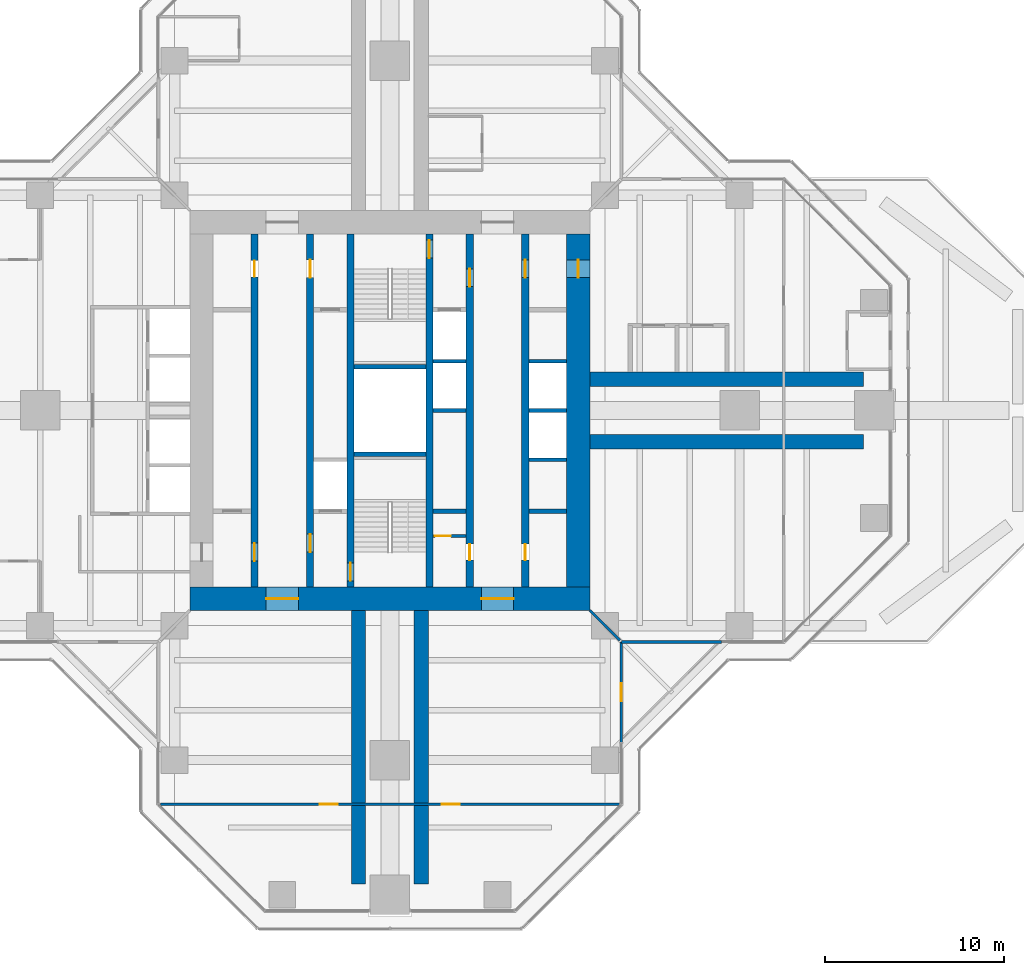
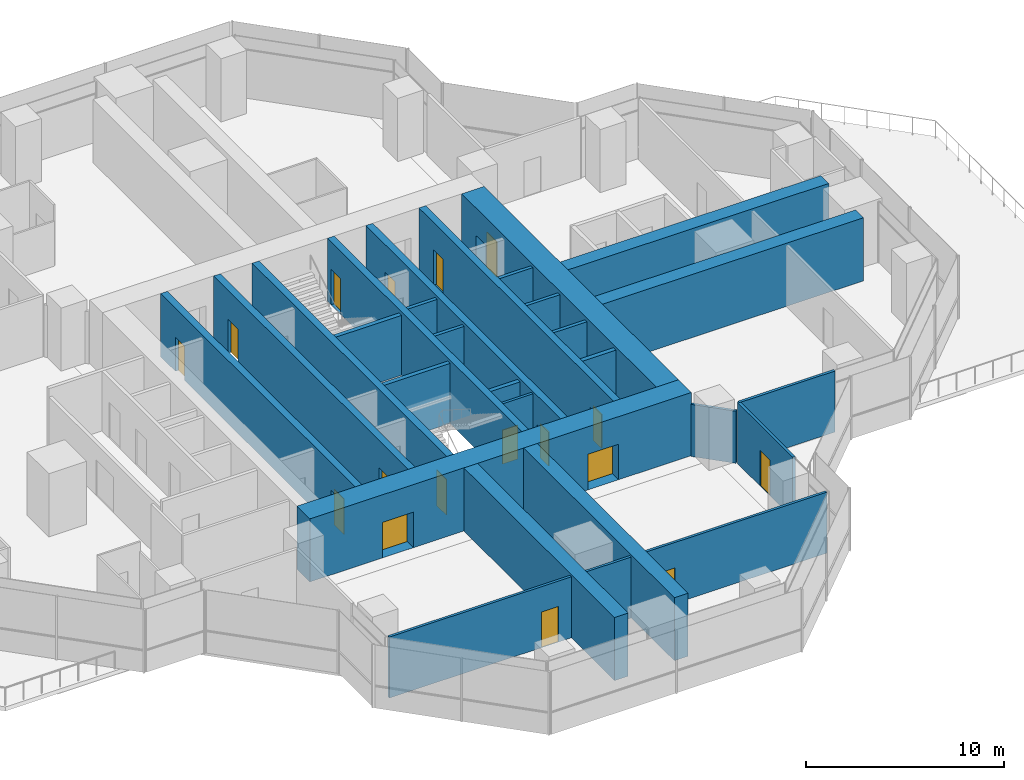
# One storey, part 15 of 19: 26 walls, 17 doors, 17 openings.
"""IFC4 building model written with IfcOpenShell, lengths in metres."""

from ifc_helpers import new_model, si_unit, direction, frame, frame_2d, origin, place, context, subcontext, project, spatial, rectangle, extrude, material, layer, layer_set, type_object, element, fill, save


model = new_model("IFC4")

# Units and contexts
model_context = context("Model", 3, precision=1e-05, world=origin(), true_north=direction((0.0, 1.0)))
body_context = subcontext(model_context, "Body", "Model", "MODEL_VIEW")
ifc_project = project(units=[si_unit("LENGTHUNIT", "METRE"), si_unit("AREAUNIT", "SQUARE_METRE"), si_unit("VOLUMEUNIT", "CUBIC_METRE"), si_unit("PLANEANGLEUNIT", "RADIAN"), si_unit("MASSUNIT", "GRAM", prefix="KILO")], contexts=[model_context])

# Site, building, storey
site_placement = place(None, origin())
site = spatial("IfcSite", under=ifc_project, at=site_placement, CompositionType="ELEMENT")
building_placement = place(site_placement, origin())
building = spatial("IfcBuilding", under=site, at=building_placement, Name="Mizan Broadcast Tower", CompositionType="ELEMENT")
storey_placement = place(building_placement, frame((0.0, 0.0, 204.89990234375)))
storey = spatial("IfcBuildingStorey", under=building, at=storey_placement, Name="L47", CompositionType="ELEMENT", Elevation=204.89990234375)

# Wall, openings, doors
ifc_material_1 = material(Name="Concrete C70/85", Category="concrete")
ifc_layer_1 = layer(ifc_material_1, 0.39990234375)
ifc_layer_set_1 = layer_set([ifc_layer_1], Name="Concrete C70/85")
wall_type_1 = type_object("IfcWallType", Name="CORE INTERNAL WALL 400", PredefinedType="SHEAR", material=ifc_layer_set_1)
wall_1_placement = place(storey_placement, frame((-7.550048828125, -9.85009765625, 0.0), z_axis=(0.0, 0.0, 1.0), x_axis=(0.0, 1.0, 0.0)))
wall_1 = element("IfcWall", 1, at=wall_1_placement, inside=storey, type_object=wall_type_1, Name="Core wall CORE/XW1", PredefinedType="SHEAR", context=body_context, shape_type="SweptSolid", body=[
    extrude(rectangle(XDim=19.7001953125, YDim=0.39990234375, at=frame_2d((9.85009765625, 0.0))), origin(), (0.0, 0.0, 1.0), 3.900146484375),
])
opening_1_placement = place(wall_1_placement, frame((1.449951171875, 0.0, 0.0)))
opening_1 = element("IfcOpeningElement", 2, at=opening_1_placement, cuts=wall_1, Name="Opening D10F", PredefinedType="OPENING", context=body_context, shape_type="SweptSolid", body=[
    extrude(rectangle(XDim=1.0, YDim=2.199951171875, at=frame_2d((0.5, 1.10009765625))), frame((0.0, 0.2099609375, 0.0), z_axis=(0.0, -1.0, 0.0), x_axis=(1.0, 0.0, 0.0)), (0.0, 0.0, 1.0), 0.419921875),
])
opening_2_placement = place(wall_1_placement, frame((17.300048828125, 0.0, 0.0)))
opening_2 = element("IfcOpeningElement", 3, at=opening_2_placement, cuts=wall_1, Name="Opening D09", PredefinedType="OPENING", context=body_context, shape_type="SweptSolid", body=[
    extrude(rectangle(XDim=0.89990234375, YDim=2.10009765625, at=frame_2d((0.449951171875, 1.050048828125))), frame((0.0, 0.2099609375, 0.0), z_axis=(0.0, -1.0, 0.0), x_axis=(1.0, 0.0, 0.0)), (0.0, 0.0, 1.0), 0.419921875),
])
ifc_material_2 = material(Name="Steel door leaf in steel frame", Category="steel")
door_type_1 = type_object("IfcDoorType", Name="FIRE DOOR 1000 FD90", OperationType="SINGLE_SWING_LEFT", PredefinedType="DOOR", material=ifc_material_2)
door_1_placement = place(opening_1_placement, origin())
door_1 = element("IfcDoor", 4, at=door_1_placement, inside=storey, type_object=door_type_1, Name="West core passage door", OperationType="SINGLE_SWING_LEFT", OverallHeight=2.199951171875, OverallWidth=1.0, PredefinedType="DOOR", context=body_context, shape_type="SweptSolid", body=[
    extrude(rectangle(XDim=1.0, YDim=2.199951171875, at=frame_2d((0.5, 1.10009765625))), frame((0.0, 0.02490234375, 0.0), z_axis=(0.0, -1.0, 0.0), x_axis=(1.0, 0.0, 0.0)), (0.0, 0.0, 1.0), 0.050048828125),
])
fill(opening_1, door_1)
ifc_material_3 = material(Name="Timber door leaf in aluminium frame", Category="wood")
door_type_2 = type_object("IfcDoorType", Name="TOILET DOOR 900", OperationType="SINGLE_SWING_LEFT", PredefinedType="DOOR", material=ifc_material_3)
door_2_placement = place(opening_2_placement, origin())
door_2 = element("IfcDoor", 5, at=door_2_placement, inside=storey, type_object=door_type_2, Name="Male WC door", OperationType="SINGLE_SWING_RIGHT", OverallHeight=2.10009765625, OverallWidth=0.89990234375, PredefinedType="DOOR", context=body_context, shape_type="SweptSolid", body=[
    extrude(rectangle(XDim=0.89990234375, YDim=2.10009765625, at=frame_2d((0.449951171875, 1.050048828125))), frame((0.0, 0.02490234375, 0.0), z_axis=(0.0, -1.0, 0.0), x_axis=(1.0, 0.0, 0.0)), (0.0, 0.0, 1.0), 0.050048828125),
])
fill(opening_2, door_2)

wall_2_placement = place(storey_placement, frame((7.550048828125, 9.85009765625, 0.0), z_axis=(0.0, 0.0, 1.0), x_axis=(0.0, -1.0, 0.0)))
wall_2 = element("IfcWall", 6, at=wall_2_placement, inside=storey, type_object=wall_type_1, Name="Core wall CORE/XW1E", PredefinedType="SHEAR", context=body_context, shape_type="SweptSolid", body=[
    extrude(rectangle(XDim=19.7001953125, YDim=0.39990234375, at=frame_2d((9.85009765625, 0.0))), origin(), (0.0, 0.0, 1.0), 3.900146484375),
])
opening_3_placement = place(wall_2_placement, frame((1.449951171875, 0.0, 0.0)))
opening_3 = element("IfcOpeningElement", 7, at=opening_3_placement, cuts=wall_2, Name="Opening D10F", PredefinedType="OPENING", context=body_context, shape_type="SweptSolid", body=[
    extrude(rectangle(XDim=1.0, YDim=2.199951171875, at=frame_2d((0.5, 1.10009765625))), frame((0.0, 0.2099609375, 0.0), z_axis=(0.0, -1.0, 0.0), x_axis=(1.0, 0.0, 0.0)), (0.0, 0.0, 1.0), 0.419921875),
])
opening_4_placement = place(wall_2_placement, frame((17.300048828125, 0.0, 0.0)))
opening_4 = element("IfcOpeningElement", 8, at=opening_4_placement, cuts=wall_2, Name="Opening D09", PredefinedType="OPENING", context=body_context, shape_type="SweptSolid", body=[
    extrude(rectangle(XDim=0.89990234375, YDim=2.10009765625, at=frame_2d((0.449951171875, 1.050048828125))), frame((0.0, 0.2099609375, 0.0), z_axis=(0.0, -1.0, 0.0), x_axis=(1.0, 0.0, 0.0)), (0.0, 0.0, 1.0), 0.419921875),
])
door_3_placement = place(opening_3_placement, origin())
door_3 = element("IfcDoor", 9, at=door_3_placement, inside=storey, type_object=door_type_1, Name="East core passage door", OperationType="SINGLE_SWING_LEFT", OverallHeight=2.199951171875, OverallWidth=1.0, PredefinedType="DOOR", context=body_context, shape_type="SweptSolid", body=[
    extrude(rectangle(XDim=1.0, YDim=2.199951171875, at=frame_2d((0.5, 1.10009765625))), frame((0.0, 0.02490234375, 0.0), z_axis=(0.0, -1.0, 0.0), x_axis=(1.0, 0.0, 0.0)), (0.0, 0.0, 1.0), 0.050048828125),
])
fill(opening_3, door_3)
door_4_placement = place(opening_4_placement, origin())
door_4 = element("IfcDoor", 10, at=door_4_placement, inside=storey, type_object=door_type_2, Name="Female WC door", OperationType="SINGLE_SWING_RIGHT", OverallHeight=2.10009765625, OverallWidth=0.89990234375, PredefinedType="DOOR", context=body_context, shape_type="SweptSolid", body=[
    extrude(rectangle(XDim=0.89990234375, YDim=2.10009765625, at=frame_2d((0.449951171875, 1.050048828125))), frame((0.0, 0.02490234375, 0.0), z_axis=(0.0, -1.0, 0.0), x_axis=(1.0, 0.0, 0.0)), (0.0, 0.0, 1.0), 0.050048828125),
])
fill(opening_4, door_4)

wall_3_placement = place(storey_placement, frame((-4.449951171875, -9.85009765625, 0.0), z_axis=(0.0, 0.0, 1.0), x_axis=(0.0, 1.0, 0.0)))
wall_3 = element("IfcWall", 11, at=wall_3_placement, inside=storey, type_object=wall_type_1, Name="Core wall CORE/XWH", PredefinedType="SHEAR", context=body_context, shape_type="SweptSolid", body=[
    extrude(rectangle(XDim=19.7001953125, YDim=0.39990234375, at=frame_2d((9.85009765625, 0.0))), origin(), (0.0, 0.0, 1.0), 3.900146484375),
])
opening_5_placement = place(wall_3_placement, frame((1.949951171875, 0.0, 0.0)))
opening_5 = element("IfcOpeningElement", 12, at=opening_5_placement, cuts=wall_3, Name="Opening D10F", PredefinedType="OPENING", context=body_context, shape_type="SweptSolid", body=[
    extrude(rectangle(XDim=1.0, YDim=2.199951171875, at=frame_2d((0.5, 1.10009765625))), frame((0.0, 0.2099609375, 0.0), z_axis=(0.0, -1.0, 0.0), x_axis=(1.0, 0.0, 0.0)), (0.0, 0.0, 1.0), 0.419921875),
])
opening_6_placement = place(wall_3_placement, frame((17.25, 0.0, 0.0)))
opening_6 = element("IfcOpeningElement", 13, at=opening_6_placement, cuts=wall_3, Name="Opening D10A", PredefinedType="OPENING", context=body_context, shape_type="SweptSolid", body=[
    extrude(rectangle(XDim=1.0, YDim=2.10009765625, at=frame_2d((0.5, 1.050048828125))), frame((0.0, 0.2099609375, 0.0), z_axis=(0.0, -1.0, 0.0), x_axis=(1.0, 0.0, 0.0)), (0.0, 0.0, 1.0), 0.419921875),
])
ifc_material_4 = material(Name="Timber door leaf in aluminium frame", Category="wood")
door_type_3 = type_object("IfcDoorType", Name="ACCESSIBLE WC DOOR 1000", OperationType="SLIDING_TO_LEFT", PredefinedType="DOOR", material=ifc_material_4)
door_5_placement = place(opening_6_placement, origin())
door_5 = element("IfcDoor", 14, at=door_5_placement, inside=storey, type_object=door_type_3, Name="Accessible WC door", OperationType="SLIDING_TO_LEFT", OverallHeight=2.10009765625, OverallWidth=1.0, PredefinedType="DOOR", context=body_context, shape_type="SweptSolid", body=[
    extrude(rectangle(XDim=1.0, YDim=2.10009765625, at=frame_2d((0.5, 1.050048828125))), frame((0.0, 0.02490234375, 0.0), z_axis=(0.0, -1.0, 0.0), x_axis=(1.0, 0.0, 0.0)), (0.0, 0.0, 1.0), 0.050048828125),
])
fill(opening_6, door_5)
door_6_placement = place(opening_5_placement, origin())
door_6 = element("IfcDoor", 15, at=door_6_placement, inside=storey, type_object=door_type_1, Name="Firefighting lobby A door", OperationType="SINGLE_SWING_LEFT", OverallHeight=2.199951171875, OverallWidth=1.0, PredefinedType="DOOR", context=body_context, shape_type="SweptSolid", body=[
    extrude(rectangle(XDim=1.0, YDim=2.199951171875, at=frame_2d((0.5, 1.10009765625))), frame((0.0, 0.02490234375, 0.0), z_axis=(0.0, -1.0, 0.0), x_axis=(1.0, 0.0, 0.0)), (0.0, 0.0, 1.0), 0.050048828125),
])
fill(opening_5, door_6)

wall_4_placement = place(storey_placement, frame((4.449951171875, 9.85009765625, 0.0), z_axis=(0.0, 0.0, 1.0), x_axis=(0.0, -1.0, 0.0)))
wall_4 = element("IfcWall", 16, at=wall_4_placement, inside=storey, type_object=wall_type_1, Name="Core wall CORE/XWHE", PredefinedType="SHEAR", context=body_context, shape_type="SweptSolid", body=[
    extrude(rectangle(XDim=19.7001953125, YDim=0.39990234375, at=frame_2d((9.85009765625, 0.0))), origin(), (0.0, 0.0, 1.0), 3.900146484375),
])
opening_7_placement = place(wall_4_placement, frame((1.949951171875, 0.0, 0.0)))
opening_7 = element("IfcOpeningElement", 17, at=opening_7_placement, cuts=wall_4, Name="Opening D10F", PredefinedType="OPENING", context=body_context, shape_type="SweptSolid", body=[
    extrude(rectangle(XDim=1.0, YDim=2.199951171875, at=frame_2d((0.5, 1.10009765625))), frame((0.0, 0.2099609375, 0.0), z_axis=(0.0, -1.0, 0.0), x_axis=(1.0, 0.0, 0.0)), (0.0, 0.0, 1.0), 0.419921875),
])
opening_8_placement = place(wall_4_placement, frame((17.300048828125, 0.0, 0.0)))
opening_8 = element("IfcOpeningElement", 18, at=opening_8_placement, cuts=wall_4, Name="Opening D09", PredefinedType="OPENING", context=body_context, shape_type="SweptSolid", body=[
    extrude(rectangle(XDim=0.89990234375, YDim=2.10009765625, at=frame_2d((0.449951171875, 1.050048828125))), frame((0.0, 0.2099609375, 0.0), z_axis=(0.0, -1.0, 0.0), x_axis=(1.0, 0.0, 0.0)), (0.0, 0.0, 1.0), 0.419921875),
])
door_7_placement = place(opening_7_placement, origin())
door_7 = element("IfcDoor", 19, at=door_7_placement, inside=storey, type_object=door_type_1, Name="Firefighting lobby B door", OperationType="SINGLE_SWING_LEFT", OverallHeight=2.199951171875, OverallWidth=1.0, PredefinedType="DOOR", context=body_context, shape_type="SweptSolid", body=[
    extrude(rectangle(XDim=1.0, YDim=2.199951171875, at=frame_2d((0.5, 1.10009765625))), frame((0.0, 0.02490234375, 0.0), z_axis=(0.0, -1.0, 0.0), x_axis=(1.0, 0.0, 0.0)), (0.0, 0.0, 1.0), 0.050048828125),
])
fill(opening_7, door_7)
door_8_placement = place(opening_8_placement, origin())
door_8 = element("IfcDoor", 20, at=door_8_placement, inside=storey, type_object=door_type_2, Name="Cleaner's store door", OperationType="SINGLE_SWING_RIGHT", OverallHeight=2.10009765625, OverallWidth=0.89990234375, PredefinedType="DOOR", context=body_context, shape_type="SweptSolid", body=[
    extrude(rectangle(XDim=0.89990234375, YDim=2.10009765625, at=frame_2d((0.449951171875, 1.050048828125))), frame((0.0, 0.02490234375, 0.0), z_axis=(0.0, -1.0, 0.0), x_axis=(1.0, 0.0, 0.0)), (0.0, 0.0, 1.0), 0.050048828125),
])
fill(opening_8, door_8)

# Wall, opening, door
wall_5_placement = place(storey_placement, frame((-2.199951171875, -9.85009765625, 0.0), z_axis=(0.0, 0.0, 1.0), x_axis=(0.0, 1.0, 0.0)))
wall_5 = element("IfcWall", 21, at=wall_5_placement, inside=storey, type_object=wall_type_1, Name="Core wall CORE/XW2", PredefinedType="SHEAR", context=body_context, shape_type="SweptSolid", body=[
    extrude(rectangle(XDim=19.7001953125, YDim=0.39990234375, at=frame_2d((9.85009765625, 0.0))), origin(), (0.0, 0.0, 1.0), 3.900146484375),
])
opening_9_placement = place(wall_5_placement, frame((0.35009765625, 0.0, 0.0)))
opening_9 = element("IfcOpeningElement", 22, at=opening_9_placement, cuts=wall_5, Name="Opening D10S", PredefinedType="OPENING", context=body_context, shape_type="SweptSolid", body=[
    extrude(rectangle(XDim=1.0, YDim=2.199951171875, at=frame_2d((0.5, 1.10009765625))), frame((0.0, 0.2099609375, 0.0), z_axis=(0.0, -1.0, 0.0), x_axis=(1.0, 0.0, 0.0)), (0.0, 0.0, 1.0), 0.419921875),
])
ifc_material_5 = material(Name="Steel door leaf in steel frame", Category="steel")
door_type_4 = type_object("IfcDoorType", Name="STAIR DOOR 1000 FD90S", OperationType="SINGLE_SWING_RIGHT", PredefinedType="DOOR", material=ifc_material_5)
door_9_placement = place(opening_9_placement, origin())
door_9 = element("IfcDoor", 23, at=door_9_placement, inside=storey, type_object=door_type_4, Name="Stair A door", OperationType="SINGLE_SWING_RIGHT", OverallHeight=2.199951171875, OverallWidth=1.0, PredefinedType="DOOR", context=body_context, shape_type="SweptSolid", body=[
    extrude(rectangle(XDim=1.0, YDim=2.199951171875, at=frame_2d((0.5, 1.10009765625))), frame((0.0, 0.02490234375, 0.0), z_axis=(0.0, -1.0, 0.0), x_axis=(1.0, 0.0, 0.0)), (0.0, 0.0, 1.0), 0.050048828125),
])
fill(opening_9, door_9)

wall_6_placement = place(storey_placement, frame((2.199951171875, 9.85009765625, 0.0), z_axis=(0.0, 0.0, 1.0), x_axis=(0.0, -1.0, 0.0)))
wall_6 = element("IfcWall", 24, at=wall_6_placement, inside=storey, type_object=wall_type_1, Name="Core wall CORE/XW2E", PredefinedType="SHEAR", context=body_context, shape_type="SweptSolid", body=[
    extrude(rectangle(XDim=19.7001953125, YDim=0.39990234375, at=frame_2d((9.85009765625, 0.0))), origin(), (0.0, 0.0, 1.0), 3.900146484375),
])
opening_10_placement = place(wall_6_placement, frame((0.35009765625, 0.0, 0.0)))
opening_10 = element("IfcOpeningElement", 25, at=opening_10_placement, cuts=wall_6, Name="Opening D10S", PredefinedType="OPENING", context=body_context, shape_type="SweptSolid", body=[
    extrude(rectangle(XDim=1.0, YDim=2.199951171875, at=frame_2d((0.5, 1.10009765625))), frame((0.0, 0.2099609375, 0.0), z_axis=(0.0, -1.0, 0.0), x_axis=(1.0, 0.0, 0.0)), (0.0, 0.0, 1.0), 0.419921875),
])
door_10_placement = place(opening_10_placement, origin())
door_10 = element("IfcDoor", 26, at=door_10_placement, inside=storey, type_object=door_type_4, Name="Stair B door", OperationType="SINGLE_SWING_RIGHT", OverallHeight=2.199951171875, OverallWidth=1.0, PredefinedType="DOOR", context=body_context, shape_type="SweptSolid", body=[
    extrude(rectangle(XDim=1.0, YDim=2.199951171875, at=frame_2d((0.5, 1.10009765625))), frame((0.0, 0.02490234375, 0.0), z_axis=(0.0, -1.0, 0.0), x_axis=(1.0, 0.0, 0.0)), (0.0, 0.0, 1.0), 0.050048828125),
])
fill(opening_10, door_10)

ifc_material_6 = material(Name="Concrete blockwork", Category="masonry")
ifc_layer_2 = layer(ifc_material_6, 0.14990234375)
ifc_layer_set_2 = layer_set([ifc_layer_2], Name="Concrete blockwork")
wall_type_2 = type_object("IfcWallType", Name="CORE PARTITION 150", PredefinedType="SOLIDWALL", material=ifc_layer_set_2)
wall_7_placement = place(storey_placement, frame((2.39990234375, -7.0, 0.0), z_axis=(0.0, 0.0, 1.0), x_axis=(1.0, 0.0, 0.0)))
wall_7 = element("IfcWall", 27, at=wall_7_placement, inside=storey, type_object=wall_type_2, Name="Core partition CORE/XPC", PredefinedType="SOLIDWALL", context=body_context, shape_type="SweptSolid", body=[
    extrude(rectangle(XDim=1.85009765625, YDim=0.14990234375, at=frame_2d((0.925048828125, 0.0))), origin(), (0.0, 0.0, 1.0), 3.77001953125),
])
opening_11_placement = place(wall_7_placement, frame((0.10009765625, 0.0, 0.0)))
opening_11 = element("IfcOpeningElement", 28, at=opening_11_placement, cuts=wall_7, Name="Opening D09F", PredefinedType="OPENING", context=body_context, shape_type="SweptSolid", body=[
    extrude(rectangle(XDim=0.89990234375, YDim=2.10009765625, at=frame_2d((0.449951171875, 1.050048828125))), frame((0.0, 0.0849609375, 0.0), z_axis=(0.0, -1.0, 0.0), x_axis=(1.0, 0.0, 0.0)), (0.0, 0.0, 1.0), 0.169921875),
])
ifc_material_7 = material(Name="Steel door leaf in steel frame", Category="steel")
door_type_5 = type_object("IfcDoorType", Name="CORE ROOM DOOR 900 FD90", OperationType="SINGLE_SWING_LEFT", PredefinedType="DOOR", material=ifc_material_7)
door_11_placement = place(opening_11_placement, origin())
door_11 = element("IfcDoor", 29, at=door_11_placement, inside=storey, type_object=door_type_5, Name="Waste store door", OperationType="SINGLE_SWING_LEFT", OverallHeight=2.10009765625, OverallWidth=0.89990234375, PredefinedType="DOOR", context=body_context, shape_type="SweptSolid", body=[
    extrude(rectangle(XDim=0.89990234375, YDim=2.10009765625, at=frame_2d((0.449951171875, 1.050048828125))), frame((0.0, 0.02490234375, 0.0), z_axis=(0.0, -1.0, 0.0), x_axis=(1.0, 0.0, 0.0)), (0.0, 0.0, 1.0), 0.050048828125),
])
fill(opening_11, door_11)

# Wall, openings, doors
ifc_material_8 = material(Name="Concrete C70/85", Category="concrete")
ifc_layer_3 = layer(ifc_material_8, 1.300048828125)
ifc_layer_set_3 = layer_set([ifc_layer_3], Name="Concrete C70/85")
wall_type_3 = type_object("IfcWallType", Name="CORE WALL 1300", PredefinedType="SHEAR", material=ifc_layer_set_3)
wall_8_placement = place(storey_placement, frame((11.14990234375, -10.5, 0.0), z_axis=(0.0, 0.0, 1.0), x_axis=(-1.0, 0.0, 0.0)))
wall_8 = element("IfcWall", 30, at=wall_8_placement, inside=storey, type_object=wall_type_3, Name="Core wall S L47", PredefinedType="SHEAR", context=body_context, shape_type="SweptSolid", body=[
    extrude(rectangle(XDim=22.2998046875, YDim=1.300048828125, at=frame_2d((11.14990234375, 0.0))), origin(), (0.0, 0.0, 1.0), 3.900146484375),
])
opening_12_placement = place(wall_8_placement, frame((16.25, 0.0, 0.0)))
opening_12 = element("IfcOpeningElement", 31, at=opening_12_placement, cuts=wall_8, Name="Opening D18F", PredefinedType="OPENING", context=body_context, shape_type="SweptSolid", body=[
    extrude(rectangle(XDim=1.800048828125, YDim=2.199951171875, at=frame_2d((0.89990234375, 1.10009765625))), frame((0.0, 0.659912109375, 0.0), z_axis=(0.0, -1.0, 0.0), x_axis=(1.0, 0.0, 0.0)), (0.0, 0.0, 1.0), 1.320068359375),
])
opening_13_placement = place(wall_8_placement, frame((4.25, 0.0, 0.0)))
opening_13 = element("IfcOpeningElement", 32, at=opening_13_placement, cuts=wall_8, Name="Opening D18F", PredefinedType="OPENING", context=body_context, shape_type="SweptSolid", body=[
    extrude(rectangle(XDim=1.800048828125, YDim=2.199951171875, at=frame_2d((0.89990234375, 1.10009765625))), frame((0.0, 0.659912109375, 0.0), z_axis=(0.0, -1.0, 0.0), x_axis=(1.0, 0.0, 0.0)), (0.0, 0.0, 1.0), 1.320068359375),
])
ifc_material_9 = material(Name="Steel door leaf in steel frame", Category="steel")
door_type_6 = type_object("IfcDoorType", Name="LOBBY DOUBLE DOOR 1800 FD90", OperationType="DOUBLE_DOOR_DOUBLE_SWING", PredefinedType="DOOR", material=ifc_material_9)
door_12_placement = place(opening_12_placement, origin())
door_12 = element("IfcDoor", 33, at=door_12_placement, inside=storey, type_object=door_type_6, Name="West lift lobby south door", OperationType="DOUBLE_DOOR_DOUBLE_SWING", OverallHeight=2.199951171875, OverallWidth=1.800048828125, PredefinedType="DOOR", context=body_context, shape_type="SweptSolid", body=[
    extrude(rectangle(XDim=1.800048828125, YDim=2.199951171875, at=frame_2d((0.89990234375, 1.10009765625))), frame((0.0, 0.02490234375, 0.0), z_axis=(0.0, -1.0, 0.0), x_axis=(1.0, 0.0, 0.0)), (0.0, 0.0, 1.0), 0.050048828125),
])
fill(opening_12, door_12)
door_13_placement = place(opening_13_placement, origin())
door_13 = element("IfcDoor", 34, at=door_13_placement, inside=storey, type_object=door_type_6, Name="East lift lobby south door", OperationType="DOUBLE_DOOR_DOUBLE_SWING", OverallHeight=2.199951171875, OverallWidth=1.800048828125, PredefinedType="DOOR", context=body_context, shape_type="SweptSolid", body=[
    extrude(rectangle(XDim=1.800048828125, YDim=2.199951171875, at=frame_2d((0.89990234375, 1.10009765625))), frame((0.0, 0.02490234375, 0.0), z_axis=(0.0, -1.0, 0.0), x_axis=(1.0, 0.0, 0.0)), (0.0, 0.0, 1.0), 0.050048828125),
])
fill(opening_13, door_13)

# Wall, opening, door
wall_9_placement = place(storey_placement, frame((10.5, -9.85009765625, 0.0), z_axis=(0.0, 0.0, 1.0), x_axis=(0.0, 1.0, 0.0)))
wall_9 = element("IfcWall", 35, at=wall_9_placement, inside=storey, type_object=wall_type_3, Name="Core wall E L47", PredefinedType="SHEAR", context=body_context, shape_type="SweptSolid", body=[
    extrude(rectangle(XDim=19.7001953125, YDim=1.300048828125, at=frame_2d((9.85009765625, 0.0))), origin(), (0.0, 0.0, 1.0), 3.900146484375),
])
opening_14_placement = place(wall_9_placement, frame((17.25, 0.0, 0.0)))
opening_14 = element("IfcOpeningElement", 36, at=opening_14_placement, cuts=wall_9, Name="Opening D10F", PredefinedType="OPENING", context=body_context, shape_type="SweptSolid", body=[
    extrude(rectangle(XDim=1.0, YDim=2.199951171875, at=frame_2d((0.5, 1.10009765625))), frame((0.0, 0.659912109375, 0.0), z_axis=(0.0, -1.0, 0.0), x_axis=(1.0, 0.0, 0.0)), (0.0, 0.0, 1.0), 1.320068359375),
])
door_14_placement = place(opening_14_placement, origin())
door_14 = element("IfcDoor", 37, at=door_14_placement, inside=storey, type_object=door_type_1, Name="East core passage arm door", OperationType="SINGLE_SWING_RIGHT", OverallHeight=2.199951171875, OverallWidth=1.0, PredefinedType="DOOR", context=body_context, shape_type="SweptSolid", body=[
    extrude(rectangle(XDim=1.0, YDim=2.199951171875, at=frame_2d((0.5, 1.10009765625))), frame((0.0, 0.02490234375, 0.0), z_axis=(0.0, -1.0, 0.0), x_axis=(1.0, 0.0, 0.0)), (0.0, 0.0, 1.0), 0.050048828125),
])
fill(opening_14, door_14)

# Wall
ifc_material_10 = material(Name="Aluminium framed glazed screen", Category="aluminium")
ifc_layer_4 = layer(ifc_material_10, 0.159912109375)
ifc_layer_set_4 = layer_set([ifc_layer_4], Name="Aluminium framed glazed screen")
wall_type_4 = type_object("IfcWallType", Name="GLAZED SCREEN WALL 160", PredefinedType="SOLIDWALL", material=ifc_layer_set_4)
wall_10_placement = place(storey_placement, frame((12.89990234375, -12.89990234375, 0.0), z_axis=(0.0, 0.0, 1.0), x_axis=(1.0, 0.0, 0.0)))
element("IfcWall", 38, at=wall_10_placement, inside=storey, type_object=wall_type_4, Name="Winter garden screen L47 E", PredefinedType="SOLIDWALL", context=body_context, shape_type="SweptSolid", body=[
    extrude(rectangle(XDim=5.60009765625, YDim=0.159912109375, at=frame_2d((2.800048828125, 0.0))), origin(), (0.0, 0.0, 1.0), 3.77001953125),
])

# Wall, opening, door
wall_11_placement = place(storey_placement, frame((12.89990234375, -18.5, 0.0), z_axis=(0.0, 0.0, 1.0), x_axis=(0.0, 1.0, 0.0)))
wall_11 = element("IfcWall", 39, at=wall_11_placement, inside=storey, type_object=wall_type_4, Name="Winter garden screen L47 S", PredefinedType="SOLIDWALL", context=body_context, shape_type="SweptSolid", body=[
    extrude(rectangle(XDim=5.60009765625, YDim=0.159912109375, at=frame_2d((2.800048828125, 0.0))), origin(), (0.0, 0.0, 1.0), 3.77001953125),
])
opening_15_placement = place(wall_11_placement, frame((2.300048828125, 0.0, 0.0)))
opening_15 = element("IfcOpeningElement", 40, at=opening_15_placement, cuts=wall_11, Name="Opening WGD", PredefinedType="OPENING", context=body_context, shape_type="SweptSolid", body=[
    extrude(rectangle(XDim=1.0, YDim=2.199951171875, at=frame_2d((0.5, 1.10009765625))), frame((0.0, 0.08984375, 0.0), z_axis=(0.0, -1.0, 0.0), x_axis=(1.0, 0.0, 0.0)), (0.0, 0.0, 1.0), 0.179931640625),
])
ifc_material_11 = material(Name="Aluminium framed glazed door", Category="aluminium")
door_type_7 = type_object("IfcDoorType", Name="WINTER GARDEN DOOR 1000 GLAZED", OperationType="SINGLE_SWING_LEFT", PredefinedType="DOOR", material=ifc_material_11)
door_15_placement = place(opening_15_placement, origin())
door_15 = element("IfcDoor", 41, at=door_15_placement, inside=storey, type_object=door_type_7, Name="Winter garden door L47 S", OperationType="SINGLE_SWING_RIGHT", OverallHeight=2.199951171875, OverallWidth=1.0, PredefinedType="DOOR", context=body_context, shape_type="SweptSolid", body=[
    extrude(rectangle(XDim=1.0, YDim=2.199951171875, at=frame_2d((0.5, 1.10009765625))), frame((0.0, 0.02490234375, 0.0), z_axis=(0.0, -1.0, 0.0), x_axis=(1.0, 0.0, 0.0)), (0.0, 0.0, 1.0), 0.050048828125),
])
fill(opening_15, door_15)

# Walls
ifc_material_12 = material(Name="Concrete blockwork", Category="masonry")
ifc_layer_5 = layer(ifc_material_12, 0.199951171875)
ifc_layer_set_5 = layer_set([ifc_layer_5], Name="Concrete blockwork")
wall_type_5 = type_object("IfcWallType", Name="LIFT SHAFT WALL 200", PredefinedType="SOLIDWALL", material=ifc_layer_set_5)
wall_12_placement = place(storey_placement, frame((7.75, -2.75, 0.0), z_axis=(0.0, 0.0, 1.0), x_axis=(1.0, 0.0, 0.0)))
element("IfcWall", 42, at=wall_12_placement, inside=storey, type_object=wall_type_5, Name="Lift shaft wall CORE/SE1-1", PredefinedType="SOLIDWALL", context=body_context, shape_type="SweptSolid", body=[
    extrude(rectangle(XDim=2.10009765625, YDim=0.199951171875, at=frame_2d((1.050048828125, 0.0))), origin(), (0.0, 0.0, 1.0), 3.7001953125),
])
wall_13_placement = place(storey_placement, frame((2.39990234375, 0.0, 0.0), z_axis=(0.0, 0.0, 1.0), x_axis=(1.0, 0.0, 0.0)))
element("IfcWall", 43, at=wall_13_placement, inside=storey, type_object=wall_type_5, Name="Lift shaft wall CORE/SE2-2", PredefinedType="SOLIDWALL", context=body_context, shape_type="SweptSolid", body=[
    extrude(rectangle(XDim=1.85009765625, YDim=0.199951171875, at=frame_2d((0.925048828125, 0.0))), origin(), (0.0, 0.0, 1.0), 3.7001953125),
])
wall_14_placement = place(storey_placement, frame((7.75, 0.0, 0.0), z_axis=(0.0, 0.0, 1.0), x_axis=(1.0, 0.0, 0.0)))
element("IfcWall", 44, at=wall_14_placement, inside=storey, type_object=wall_type_5, Name="Lift shaft wall CORE/SE1-2", PredefinedType="SOLIDWALL", context=body_context, shape_type="SweptSolid", body=[
    extrude(rectangle(XDim=2.10009765625, YDim=0.199951171875, at=frame_2d((1.050048828125, 0.0))), origin(), (0.0, 0.0, 1.0), 3.7001953125),
])
wall_15_placement = place(storey_placement, frame((2.39990234375, 2.75, 0.0), z_axis=(0.0, 0.0, 1.0), x_axis=(1.0, 0.0, 0.0)))
element("IfcWall", 45, at=wall_15_placement, inside=storey, type_object=wall_type_5, Name="Lift shaft wall CORE/SE2-3", PredefinedType="SOLIDWALL", context=body_context, shape_type="SweptSolid", body=[
    extrude(rectangle(XDim=1.85009765625, YDim=0.199951171875, at=frame_2d((0.925048828125, 0.0))), origin(), (0.0, 0.0, 1.0), 3.7001953125),
])
wall_16_placement = place(storey_placement, frame((7.75, 2.75, 0.0), z_axis=(0.0, 0.0, 1.0), x_axis=(1.0, 0.0, 0.0)))
element("IfcWall", 46, at=wall_16_placement, inside=storey, type_object=wall_type_5, Name="Lift shaft wall CORE/SE1-3", PredefinedType="SOLIDWALL", context=body_context, shape_type="SweptSolid", body=[
    extrude(rectangle(XDim=2.10009765625, YDim=0.199951171875, at=frame_2d((1.050048828125, 0.0))), origin(), (0.0, 0.0, 1.0), 3.7001953125),
])
ifc_material_13 = material(Name="Concrete blockwork", Category="masonry")
ifc_layer_6 = layer(ifc_material_13, 0.25)
ifc_layer_set_6 = layer_set([ifc_layer_6], Name="Concrete blockwork")
wall_type_6 = type_object("IfcWallType", Name="LOBBY ENCLOSURE WALL 250", PredefinedType="SOLIDWALL", material=ifc_layer_set_6)
wall_17_placement = place(storey_placement, frame((2.39990234375, -5.625, 0.0), z_axis=(0.0, 0.0, 1.0), x_axis=(1.0, 0.0, 0.0)))
element("IfcWall", 47, at=wall_17_placement, inside=storey, type_object=wall_type_6, Name="Lobby enclosure wall CORE/BE2S", PredefinedType="SOLIDWALL", context=body_context, shape_type="SweptSolid", body=[
    extrude(rectangle(XDim=1.85009765625, YDim=0.25, at=frame_2d((0.925048828125, 0.0))), origin(), (0.0, 0.0, 1.0), 3.7001953125),
])
wall_18_placement = place(storey_placement, frame((7.75, -5.625, 0.0), z_axis=(0.0, 0.0, 1.0), x_axis=(1.0, 0.0, 0.0)))
element("IfcWall", 48, at=wall_18_placement, inside=storey, type_object=wall_type_6, Name="Lobby enclosure wall CORE/BE1S", PredefinedType="SOLIDWALL", context=body_context, shape_type="SweptSolid", body=[
    extrude(rectangle(XDim=2.10009765625, YDim=0.25, at=frame_2d((1.050048828125, 0.0))), origin(), (0.0, 0.0, 1.0), 3.7001953125),
])
for number, where, z_axis, x_axis, name in (
    (49, (-2.0, -2.449951171875, 0.0), (0.0, 0.0, 1.0), (1.0, 0.0, 0.0), "Lobby enclosure wall CORE/STA"),
    (50, (-2.0, 2.449951171875, 0.0), (0.0, 0.0, 1.0), (1.0, 0.0, 0.0), "Lobby enclosure wall CORE/STB"),
):
    element("IfcWall", number, at=place(storey_placement, frame(where, z_axis=z_axis, x_axis=x_axis)), inside=storey, type_object=wall_type_6, Name=name, PredefinedType="SOLIDWALL", context=body_context, shape_type="SweptSolid", body=[
        extrude(rectangle(XDim=4.0, YDim=0.25, at=frame_2d((2.0, 0.0))), origin(), (0.0, 0.0, 1.0), 3.7001953125),
    ])

# Wall, openings, doors
ifc_material_14 = material(Name="Gypsum board on steel studs", Category="steel")
ifc_layer_7 = layer(ifc_material_14, 0.14990234375)
ifc_layer_set_7 = layer_set([ifc_layer_7], Name="Gypsum board on steel studs")
wall_type_7 = type_object("IfcWallType", Name="PARTITION 150", PredefinedType="PARTITIONING", material=ifc_layer_set_7)
wall_19_placement = place(storey_placement, frame((-12.786376953125, -21.958984375, 0.0), z_axis=(0.0, 0.0, 1.0), x_axis=(1.0, 0.0, 0.0)))
wall_19 = element("IfcWall", 51, at=wall_19_placement, inside=storey, type_object=wall_type_7, Name="Partition PT/SX1", PredefinedType="PARTITIONING", context=body_context, shape_type="SweptSolid", body=[
    extrude(rectangle(XDim=25.57275390625, YDim=0.14990234375, at=frame_2d((12.786376953125, 0.0))), origin(), (0.0, 0.0, 1.0), 3.77001953125),
])
opening_16_placement = place(wall_19_placement, frame((15.6865234375, 0.0, 0.0)))
opening_16 = element("IfcOpeningElement", 52, at=opening_16_placement, cuts=wall_19, Name="Opening D10", PredefinedType="OPENING", context=body_context, shape_type="SweptSolid", body=[
    extrude(rectangle(XDim=1.0, YDim=2.199951171875, at=frame_2d((0.5, 1.10009765625))), frame((0.0, 0.0849609375, 0.0), z_axis=(0.0, -1.0, 0.0), x_axis=(1.0, 0.0, 0.0)), (0.0, 0.0, 1.0), 0.169921875),
])
opening_17_placement = place(wall_19_placement, frame((8.886474609375, 0.0, 0.0)))
opening_17 = element("IfcOpeningElement", 53, at=opening_17_placement, cuts=wall_19, Name="Opening D10", PredefinedType="OPENING", context=body_context, shape_type="SweptSolid", body=[
    extrude(rectangle(XDim=1.0, YDim=2.199951171875, at=frame_2d((0.5, 1.10009765625))), frame((0.0, 0.0849609375, 0.0), z_axis=(0.0, -1.0, 0.0), x_axis=(1.0, 0.0, 0.0)), (0.0, 0.0, 1.0), 0.169921875),
])
ifc_material_15 = material(Name="Timber door leaf in aluminium frame", Category="wood")
door_type_8 = type_object("IfcDoorType", Name="ROOM DOOR 1000", OperationType="SINGLE_SWING_LEFT", PredefinedType="DOOR", material=ifc_material_15)
door_16_placement = place(opening_16_placement, origin())
door_16 = element("IfcDoor", 54, at=door_16_placement, inside=storey, type_object=door_type_8, Name="Music library door", OperationType="SINGLE_SWING_RIGHT", OverallHeight=2.199951171875, OverallWidth=1.0, PredefinedType="DOOR", context=body_context, shape_type="SweptSolid", body=[
    extrude(rectangle(XDim=1.0, YDim=2.199951171875, at=frame_2d((0.5, 1.10009765625))), frame((0.0, 0.02490234375, 0.0), z_axis=(0.0, -1.0, 0.0), x_axis=(1.0, 0.0, 0.0)), (0.0, 0.0, 1.0), 0.050048828125),
])
fill(opening_16, door_16)
door_17_placement = place(opening_17_placement, origin())
door_17 = element("IfcDoor", 55, at=door_17_placement, inside=storey, type_object=door_type_8, Name="Music library door", OperationType="SINGLE_SWING_LEFT", OverallHeight=2.199951171875, OverallWidth=1.0, PredefinedType="DOOR", context=body_context, shape_type="SweptSolid", body=[
    extrude(rectangle(XDim=1.0, YDim=2.199951171875, at=frame_2d((0.5, 1.10009765625))), frame((0.0, 0.02490234375, 0.0), z_axis=(0.0, -1.0, 0.0), x_axis=(1.0, 0.0, 0.0)), (0.0, 0.0, 1.0), 0.050048828125),
])
fill(opening_17, door_17)

# Walls
wall_20_placement = place(storey_placement, frame((11.14990234375, -11.14990234375, 0.0), z_axis=(0.0, 0.0, 1.0), x_axis=(0.707106781187, -0.707106781187, 0.0)))
element("IfcWall", 56, at=wall_20_placement, inside=storey, type_object=wall_type_7, Name="Partition PT/DGES", PredefinedType="PARTITIONING", context=body_context, shape_type="SweptSolid", body=[
    extrude(rectangle(XDim=2.362060546875, YDim=0.14990234375, at=frame_2d((1.18115234375, 0.0))), origin(), (0.0, 0.0, 1.0), 3.22021484375),
])
ifc_material_16 = material(Name="Concrete C70/85", Category="concrete")
ifc_layer_8 = layer(ifc_material_16, 0.800048828125)
ifc_layer_set_8 = layer_set([ifc_layer_8], Name="Concrete C70/85")
wall_type_8 = type_object("IfcWallType", Name="SPINE WALL 800", PredefinedType="SHEAR", material=ifc_layer_set_8)
for number, where, z_axis, x_axis, name in (
    (57, (11.14990234375, -1.75, 0.0), (0.0, 0.0, 1.0), (1.0, 0.0, 0.0), "Spine wall ER L47"),
    (58, (11.14990234375, 1.75, 0.0), (0.0, 0.0, 1.0), (1.0, 0.0, 0.0), "Spine wall EL L47"),
    (59, (-1.75, -11.14990234375, 0.0), (0.0, 0.0, 1.0), (0.0, -1.0, 0.0), "Spine wall SR L47"),
    (60, (1.75, -11.14990234375, 0.0), (0.0, 0.0, 1.0), (0.0, -1.0, 0.0), "Spine wall SL L47"),
):
    element("IfcWall", number, at=place(storey_placement, frame(where, z_axis=z_axis, x_axis=x_axis)), inside=storey, type_object=wall_type_8, Name=name, PredefinedType="SHEAR", context=body_context, shape_type="SweptSolid", body=[
        extrude(rectangle(XDim=15.25, YDim=0.800048828125, at=frame_2d((7.625, 0.0))), origin(), (0.0, 0.0, 1.0), 3.900146484375),
    ])

save(model, "model.ifc")
